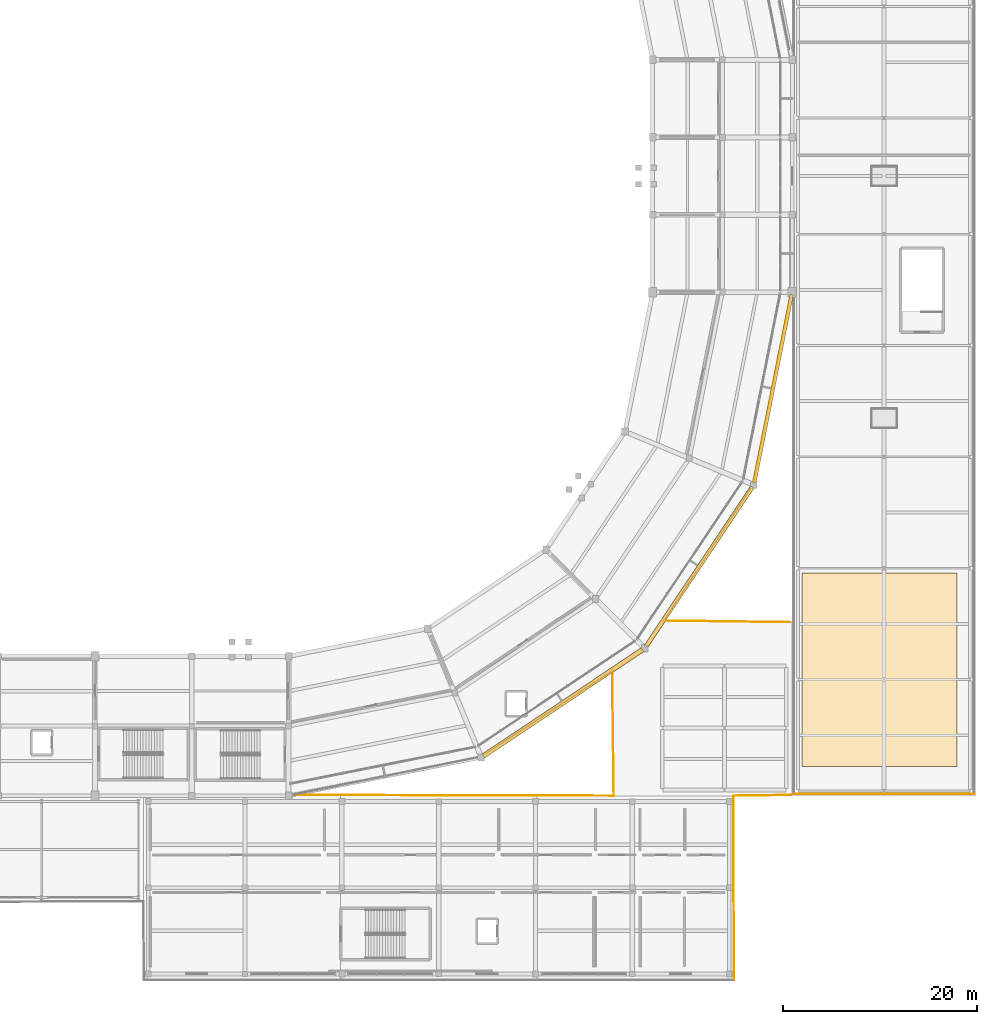
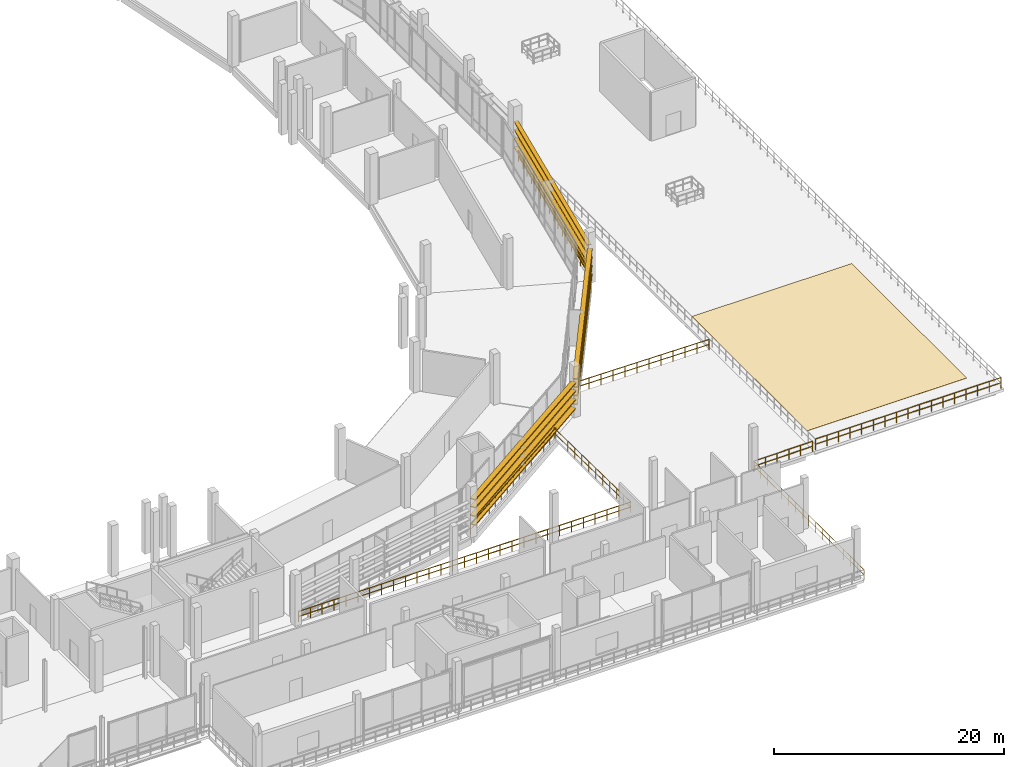
# One storey, part 101 of 111: 12 shading devices, 9 railings, 1 covering.
"""IFC4 building model written with IfcOpenShell, lengths in metres."""

from ifc_helpers import new_model, si_unit, direction, frame, origin, origin_2d, place, context, subcontext, project, spatial, polyline, rectangle, circle, outline, extrude, material, layer, layer_set, type_object, element, save


model = new_model("IFC4")

# Units and contexts
model_context = context("Model", 3, precision=1e-05, world=origin(), true_north=direction((0.0, 1.0)))
body_context = subcontext(model_context, "Body", "Model", "MODEL_VIEW")
ifc_project = project(units=[si_unit("LENGTHUNIT", "METRE"), si_unit("AREAUNIT", "SQUARE_METRE"), si_unit("VOLUMEUNIT", "CUBIC_METRE"), si_unit("PLANEANGLEUNIT", "RADIAN"), si_unit("MASSUNIT", "GRAM", prefix="KILO")], contexts=[model_context])

# Site, building, storey
site_placement = place(None, origin())
site = spatial("IfcSite", under=ifc_project, at=site_placement, CompositionType="ELEMENT")
building_placement = place(site_placement, origin())
building = spatial("IfcBuilding", under=site, at=building_placement, Name="Candeia Ridge Stadium", CompositionType="ELEMENT")
storey_placement = place(building_placement, frame((0.0, 0.0, 16.199951171875)))
storey = spatial("IfcBuildingStorey", under=building, at=storey_placement, Name="L03", CompositionType="ELEMENT", Elevation=16.199951171875)

# Railing
ifc_material_1 = material(Name="Laminated Glass & Stainless Steel", Category="steel")
ifc_layer_1 = layer(ifc_material_1, 0.080078125, Name="Laminated Glass & Stainless Steel", Category="steel")
ifc_layer_set_1 = layer_set([ifc_layer_1], Name="Laminated Glass & Stainless Steel")
railing_type_1 = type_object("IfcRailingType", Name="Planted Terrace Glass-Steel Guard 1150", PredefinedType="BALUSTRADE", material=ifc_layer_set_1)
railing_1_placement = place(storey_placement, frame((193.199951171875, 19.199951171875, 0.0)))
element("IfcRailing", 1, at=railing_1_placement, inside=storey, type_object=railing_type_1, Name="Terrace perimeter balustrade GR-TER-181", PredefinedType="BALUSTRADE", context=body_context, shape_type="SweptSolid", body=[
    extrude(circle(Radius=0.02392578125, at=origin_2d()), frame((0.0, 0.0, 1.1259765625), z_axis=(1.0, 0.0, 0.0), x_axis=(0.0, 1.0, 0.0)), (0.0, 0.0, 1.0), 18.60009765625),
    extrude(circle(Radius=0.02392578125, at=origin_2d()), frame((0.0, 0.0, 0.574951171875), z_axis=(1.0, 0.0, 0.0), x_axis=(0.0, 1.0, 0.0)), (0.0, 0.0, 1.0), 18.60009765625),
    extrude(circle(Radius=0.02099609375, at=origin_2d()), origin(), (0.0, 0.0, 1.0), 1.101806640625),
    extrude(circle(Radius=0.02099609375, at=origin_2d()), frame((1.16259765625, 0.0, 0.0)), (0.0, 0.0, 1.0), 1.101806640625),
    extrude(circle(Radius=0.02099609375, at=origin_2d()), frame((2.324951171875, 0.0, 0.0)), (0.0, 0.0, 1.0), 1.101806640625),
    extrude(circle(Radius=0.02099609375, at=origin_2d()), frame((3.487548828125, 0.0, 0.0)), (0.0, 0.0, 1.0), 1.101806640625),
    extrude(circle(Radius=0.02099609375, at=origin_2d()), frame((4.64990234375, 0.0, 0.0)), (0.0, 0.0, 1.0), 1.101806640625),
    extrude(circle(Radius=0.02099609375, at=origin_2d()), frame((5.8125, 0.0, 0.0)), (0.0, 0.0, 1.0), 1.101806640625),
    extrude(circle(Radius=0.02099609375, at=origin_2d()), frame((6.97509765625, 0.0, 0.0)), (0.0, 0.0, 1.0), 1.101806640625),
    extrude(circle(Radius=0.02099609375, at=origin_2d()), frame((8.137451171875, 0.0, 0.0)), (0.0, 0.0, 1.0), 1.101806640625),
    extrude(circle(Radius=0.02099609375, at=origin_2d()), frame((9.300048828125, 0.0, 0.0)), (0.0, 0.0, 1.0), 1.101806640625),
    extrude(circle(Radius=0.02099609375, at=origin_2d()), frame((10.462646484375, 0.0, 0.0)), (0.0, 0.0, 1.0), 1.101806640625),
    extrude(circle(Radius=0.02099609375, at=origin_2d()), frame((11.625, 0.0, 0.0)), (0.0, 0.0, 1.0), 1.101806640625),
    extrude(circle(Radius=0.02099609375, at=origin_2d()), frame((12.78759765625, 0.0, 0.0)), (0.0, 0.0, 1.0), 1.101806640625),
    extrude(circle(Radius=0.02099609375, at=origin_2d()), frame((13.9501953125, 0.0, 0.0)), (0.0, 0.0, 1.0), 1.101806640625),
    extrude(circle(Radius=0.02099609375, at=origin_2d()), frame((15.112548828125, 0.0, 0.0)), (0.0, 0.0, 1.0), 1.101806640625),
    extrude(circle(Radius=0.02099609375, at=origin_2d()), frame((16.275146484375, 0.0, 0.0)), (0.0, 0.0, 1.0), 1.101806640625),
    extrude(circle(Radius=0.02099609375, at=origin_2d()), frame((17.4375, 0.0, 0.0)), (0.0, 0.0, 1.0), 1.101806640625),
    extrude(circle(Radius=0.02099609375, at=origin_2d()), frame((18.60009765625, 0.0, 0.0)), (0.0, 0.0, 1.0), 1.101806640625),
])

# Covering
ifc_material_2 = material(Name="EPDM Root-Barrier Waterproof Membrane", Category="concrete")
ifc_layer_2 = layer(ifc_material_2, 0.02001953125, Name="EPDM Root-Barrier Waterproof Membrane", Category="concrete")
ifc_layer_set_2 = layer_set([ifc_layer_2], Name="EPDM Root-Barrier Waterproof Membrane")
covering_type = type_object("IfcCoveringType", Name="Planted Terrace Waterproof Membrane 20", PredefinedType="ROOFING", material=ifc_layer_set_2)
covering_placement = place(storey_placement, origin())
element("IfcCovering", 2, at=covering_placement, inside=storey, type_object=covering_type, Name="Terrace waterproof membrane RMEM-01", PredefinedType="ROOFING", context=body_context, shape_type="SweptSolid", body=[
    extrude(outline(polyline([(194.0, 22.0), (210.0, 22.0), (210.0, 42.0), (194.0, 42.0), (194.0, 22.0)])), origin(), (0.0, 0.0, 1.0), 0.02001953125),
])

# Railings
ifc_material_3 = material(Name="Galvanized Powder-Coated Steel", Category="steel")
ifc_layer_3 = layer(ifc_material_3, 0.074951171875, Name="Galvanized Powder-Coated Steel", Category="steel")
ifc_layer_set_3 = layer_set([ifc_layer_3], Name="Galvanized Powder-Coated Steel")
railing_type_2 = type_object("IfcRailingType", Name="Spectator Bowl Front Guardrail 1120", PredefinedType="GUARDRAIL", material=ifc_layer_set_3)
railing_2_placement = place(storey_placement, frame((192.830810546875, 19.080078125, 0.0)))
element("IfcRailing", 3, at=railing_2_placement, inside=storey, type_object=railing_type_2, Name="Deck edge safety guardrail GR-DE-L03-0149", PredefinedType="GUARDRAIL", context=body_context, shape_type="SweptSolid", body=[
    extrude(circle(Radius=0.02392578125, at=origin_2d()), frame((0.0, 0.0, 1.09619140625), z_axis=(-0.999908244425, -0.013546317962, 0.0), x_axis=(0.013546317962, -0.999908244425, 0.0)), (0.0, 0.0, 1.0), 5.911376953125),
    extrude(circle(Radius=0.02392578125, at=origin_2d()), frame((0.0, 0.0, 0.56005859375), z_axis=(-0.999908244425, -0.013546317962, 0.0), x_axis=(0.013546317962, -0.999908244425, 0.0)), (0.0, 0.0, 1.0), 5.911376953125),
    extrude(circle(Radius=0.02099609375, at=origin_2d()), origin(), (0.0, 0.0, 1.0), 1.072021484375),
    extrude(circle(Radius=0.02099609375, at=origin_2d()), frame((-1.18212890625, -0.01611328125, 0.0)), (0.0, 0.0, 1.0), 1.072021484375),
    extrude(circle(Radius=0.02099609375, at=origin_2d()), frame((-2.3642578125, -0.031982421875, 0.0)), (0.0, 0.0, 1.0), 1.072021484375),
    extrude(circle(Radius=0.02099609375, at=origin_2d()), frame((-3.546630859375, -0.048095703125, 0.0)), (0.0, 0.0, 1.0), 1.072021484375),
    extrude(circle(Radius=0.02099609375, at=origin_2d()), frame((-4.728759765625, -0.06396484375, 0.0)), (0.0, 0.0, 1.0), 1.072021484375),
    extrude(circle(Radius=0.02099609375, at=origin_2d()), frame((-5.910888671875, -0.080078125, 0.0)), (0.0, 0.0, 1.0), 1.072021484375),
])
railing_3_placement = place(storey_placement, frame((186.919921875, 19.0, 0.0)))
element("IfcRailing", 4, at=railing_3_placement, inside=storey, type_object=railing_type_2, Name="Deck edge safety guardrail GR-DE-L03-0150", PredefinedType="GUARDRAIL", context=body_context, shape_type="SweptSolid", body=[
    extrude(circle(Radius=0.02392578125, at=origin_2d()), frame((0.0, 0.0, 1.09619140625), z_axis=(0.004214600726, -0.999991118531, 0.0), x_axis=(0.999991118531, 0.004214600726, 0.0)), (0.0, 0.0, 1.0), 19.000244140625),
    extrude(circle(Radius=0.02392578125, at=origin_2d()), frame((0.0, 0.0, 0.56005859375), z_axis=(0.004214600726, -0.999991118531, 0.0), x_axis=(0.999991118531, 0.004214600726, 0.0)), (0.0, 0.0, 1.0), 19.000244140625),
    extrude(circle(Radius=0.02099609375, at=origin_2d()), origin(), (0.0, 0.0, 1.0), 1.072021484375),
    extrude(circle(Radius=0.02099609375, at=origin_2d()), frame((0.0048828125, -1.1875, 0.0)), (0.0, 0.0, 1.0), 1.072021484375),
    extrude(circle(Radius=0.02099609375, at=origin_2d()), frame((0.010009765625, -2.375, 0.0)), (0.0, 0.0, 1.0), 1.072021484375),
    extrude(circle(Radius=0.02099609375, at=origin_2d()), frame((0.01513671875, -3.5625, 0.0)), (0.0, 0.0, 1.0), 1.072021484375),
    extrude(circle(Radius=0.02099609375, at=origin_2d()), frame((0.02001953125, -4.75, 0.0)), (0.0, 0.0, 1.0), 1.072021484375),
    extrude(circle(Radius=0.02099609375, at=origin_2d()), frame((0.02490234375, -5.9375, 0.0)), (0.0, 0.0, 1.0), 1.072021484375),
    extrude(circle(Radius=0.02099609375, at=origin_2d()), frame((0.030029296875, -7.125, 0.0)), (0.0, 0.0, 1.0), 1.072021484375),
    extrude(circle(Radius=0.02099609375, at=origin_2d()), frame((0.03515625, -8.3125, 0.0)), (0.0, 0.0, 1.0), 1.072021484375),
    extrude(circle(Radius=0.02099609375, at=origin_2d()), frame((0.0400390625, -9.5, 0.0)), (0.0, 0.0, 1.0), 1.072021484375),
    extrude(circle(Radius=0.02099609375, at=origin_2d()), frame((0.044921875, -10.6875, 0.0)), (0.0, 0.0, 1.0), 1.072021484375),
    extrude(circle(Radius=0.02099609375, at=origin_2d()), frame((0.050048828125, -11.875, 0.0)), (0.0, 0.0, 1.0), 1.072021484375),
    extrude(circle(Radius=0.02099609375, at=origin_2d()), frame((0.05517578125, -13.0625, 0.0)), (0.0, 0.0, 1.0), 1.072021484375),
    extrude(circle(Radius=0.02099609375, at=origin_2d()), frame((0.06005859375, -14.25, 0.0)), (0.0, 0.0, 1.0), 1.072021484375),
    extrude(circle(Radius=0.02099609375, at=origin_2d()), frame((0.06494140625, -15.4375, 0.0)), (0.0, 0.0, 1.0), 1.072021484375),
    extrude(circle(Radius=0.02099609375, at=origin_2d()), frame((0.070068359375, -16.625, 0.0)), (0.0, 0.0, 1.0), 1.072021484375),
    extrude(circle(Radius=0.02099609375, at=origin_2d()), frame((0.0751953125, -17.8125, 0.0)), (0.0, 0.0, 1.0), 1.072021484375),
    extrude(circle(Radius=0.02099609375, at=origin_2d()), frame((0.080078125, -19.0, 0.0)), (0.0, 0.0, 1.0), 1.072021484375),
])
railing_4_placement = place(storey_placement, frame((179.6201171875, 37.080078125, 0.0)))
element("IfcRailing", 5, at=railing_4_placement, inside=storey, type_object=railing_type_2, Name="Deck edge safety guardrail GR-DE-L03-0160", PredefinedType="GUARDRAIL", context=body_context, shape_type="SweptSolid", body=[
    extrude(circle(Radius=0.02392578125, at=origin_2d()), frame((0.0, 0.0, 1.09619140625), z_axis=(0.999925953664, -0.012169107946, 0.0), x_axis=(0.012169107946, 0.999925953664, 0.0)), (0.0, 0.0, 1.0), 13.160888671875),
    extrude(circle(Radius=0.02392578125, at=origin_2d()), frame((0.0, 0.0, 0.56005859375), z_axis=(0.999925953664, -0.012169107946, 0.0), x_axis=(0.012169107946, 0.999925953664, 0.0)), (0.0, 0.0, 1.0), 13.160888671875),
    extrude(circle(Radius=0.02099609375, at=origin_2d()), origin(), (0.0, 0.0, 1.0), 1.072021484375),
    extrude(circle(Radius=0.02099609375, at=origin_2d()), frame((1.1962890625, -0.0146484375, 0.0)), (0.0, 0.0, 1.0), 1.072021484375),
    extrude(circle(Radius=0.02099609375, at=origin_2d()), frame((2.392822265625, -0.029052734375, 0.0)), (0.0, 0.0, 1.0), 1.072021484375),
    extrude(circle(Radius=0.02099609375, at=origin_2d()), frame((3.589111328125, -0.043701171875, 0.0)), (0.0, 0.0, 1.0), 1.072021484375),
    extrude(circle(Radius=0.02099609375, at=origin_2d()), frame((4.785400390625, -0.058349609375, 0.0)), (0.0, 0.0, 1.0), 1.072021484375),
    extrude(circle(Radius=0.02099609375, at=origin_2d()), frame((5.981689453125, -0.07275390625, 0.0)), (0.0, 0.0, 1.0), 1.072021484375),
    extrude(circle(Radius=0.02099609375, at=origin_2d()), frame((7.17822265625, -0.08740234375, 0.0)), (0.0, 0.0, 1.0), 1.072021484375),
    extrude(circle(Radius=0.02099609375, at=origin_2d()), frame((8.37451171875, -0.101806640625, 0.0)), (0.0, 0.0, 1.0), 1.072021484375),
    extrude(circle(Radius=0.02099609375, at=origin_2d()), frame((9.57080078125, -0.116455078125, 0.0)), (0.0, 0.0, 1.0), 1.072021484375),
    extrude(circle(Radius=0.02099609375, at=origin_2d()), frame((10.76708984375, -0.131103515625, 0.0)), (0.0, 0.0, 1.0), 1.072021484375),
    extrude(circle(Radius=0.02099609375, at=origin_2d()), frame((11.963623046875, -0.1455078125, 0.0)), (0.0, 0.0, 1.0), 1.072021484375),
    extrude(circle(Radius=0.02099609375, at=origin_2d()), frame((13.159912109375, -0.16015625, 0.0)), (0.0, 0.0, 1.0), 1.072021484375),
])
railing_5_placement = place(storey_placement, frame((192.701416015625, 69.90966796875, 0.0)))
element("IfcRailing", 6, at=railing_5_placement, inside=storey, type_object=railing_type_2, Name="Deck edge safety guardrail GR-DE-L03-0161", PredefinedType="GUARDRAIL", context=body_context, shape_type="SweptSolid", body=[
    extrude(circle(Radius=0.02392578125, at=origin_2d()), frame((0.0, 0.0, 1.09619140625), z_axis=(-0.194778451557, -0.980847263752, 0.0), x_axis=(0.980847263752, -0.194778451557, 0.0)), (0.0, 0.0, 1.0), 19.131103515625),
    extrude(circle(Radius=0.02392578125, at=origin_2d()), frame((0.0, 0.0, 0.56005859375), z_axis=(-0.194778451557, -0.980847263752, 0.0), x_axis=(0.980847263752, -0.194778451557, 0.0)), (0.0, 0.0, 1.0), 19.131103515625),
    extrude(circle(Radius=0.02099609375, at=origin_2d()), origin(), (0.0, 0.0, 1.0), 1.072021484375),
    extrude(circle(Radius=0.02099609375, at=origin_2d()), frame((-0.23291015625, -1.1728515625, 0.0)), (0.0, 0.0, 1.0), 1.072021484375),
    extrude(circle(Radius=0.02099609375, at=origin_2d()), frame((-0.4658203125, -2.345703125, 0.0)), (0.0, 0.0, 1.0), 1.072021484375),
    extrude(circle(Radius=0.02099609375, at=origin_2d()), frame((-0.69873046875, -3.518310546875, 0.0)), (0.0, 0.0, 1.0), 1.072021484375),
    extrude(circle(Radius=0.02099609375, at=origin_2d()), frame((-0.931640625, -4.691162109375, 0.0)), (0.0, 0.0, 1.0), 1.072021484375),
    extrude(circle(Radius=0.02099609375, at=origin_2d()), frame((-1.16455078125, -5.864013671875, 0.0)), (0.0, 0.0, 1.0), 1.072021484375),
    extrude(circle(Radius=0.02099609375, at=origin_2d()), frame((-1.3974609375, -7.03662109375, 0.0)), (0.0, 0.0, 1.0), 1.072021484375),
    extrude(circle(Radius=0.02099609375, at=origin_2d()), frame((-1.63037109375, -8.20947265625, 0.0)), (0.0, 0.0, 1.0), 1.072021484375),
    extrude(circle(Radius=0.02099609375, at=origin_2d()), frame((-1.86328125, -9.38232421875, 0.0)), (0.0, 0.0, 1.0), 1.072021484375),
    extrude(circle(Radius=0.02099609375, at=origin_2d()), frame((-2.095947265625, -10.55517578125, 0.0)), (0.0, 0.0, 1.0), 1.072021484375),
    extrude(circle(Radius=0.02099609375, at=origin_2d()), frame((-2.328857421875, -11.72802734375, 0.0)), (0.0, 0.0, 1.0), 1.072021484375),
    extrude(circle(Radius=0.02099609375, at=origin_2d()), frame((-2.561767578125, -12.900634765625, 0.0)), (0.0, 0.0, 1.0), 1.072021484375),
    extrude(circle(Radius=0.02099609375, at=origin_2d()), frame((-2.794677734375, -14.073486328125, 0.0)), (0.0, 0.0, 1.0), 1.072021484375),
    extrude(circle(Radius=0.02099609375, at=origin_2d()), frame((-3.027587890625, -15.246337890625, 0.0)), (0.0, 0.0, 1.0), 1.072021484375),
    extrude(circle(Radius=0.02099609375, at=origin_2d()), frame((-3.260498046875, -16.4189453125, 0.0)), (0.0, 0.0, 1.0), 1.072021484375),
    extrude(circle(Radius=0.02099609375, at=origin_2d()), frame((-3.493408203125, -17.591796875, 0.0)), (0.0, 0.0, 1.0), 1.072021484375),
    extrude(circle(Radius=0.02099609375, at=origin_2d()), frame((-3.726318359375, -18.7646484375, 0.0)), (0.0, 0.0, 1.0), 1.072021484375),
])
railing_6_placement = place(storey_placement, frame((188.97509765625, 51.14501953125, 0.0)))
element("IfcRailing", 7, at=railing_6_placement, inside=storey, type_object=railing_type_2, Name="Deck edge safety guardrail GR-DE-L03-0162", PredefinedType="GUARDRAIL", context=body_context, shape_type="SweptSolid", body=[
    extrude(circle(Radius=0.02392578125, at=origin_2d()), frame((0.0, 0.0, 1.09619140625), z_axis=(-0.547697653631, -0.836676329417, 0.0), x_axis=(0.836676329417, -0.547697653631, 0.0)), (0.0, 0.0, 1.0), 16.959228515625),
    extrude(circle(Radius=0.02392578125, at=origin_2d()), frame((0.0, 0.0, 0.56005859375), z_axis=(-0.547697653631, -0.836676329417, 0.0), x_axis=(0.836676329417, -0.547697653631, 0.0)), (0.0, 0.0, 1.0), 16.959228515625),
    extrude(circle(Radius=0.02099609375, at=origin_2d()), origin(), (0.0, 0.0, 1.0), 1.072021484375),
    extrude(circle(Radius=0.02099609375, at=origin_2d()), frame((-0.619140625, -0.946044921875, 0.0)), (0.0, 0.0, 1.0), 1.072021484375),
    extrude(circle(Radius=0.02099609375, at=origin_2d()), frame((-1.238525390625, -1.891845703125, 0.0)), (0.0, 0.0, 1.0), 1.072021484375),
    extrude(circle(Radius=0.02099609375, at=origin_2d()), frame((-1.857666015625, -2.837890625, 0.0)), (0.0, 0.0, 1.0), 1.072021484375),
    extrude(circle(Radius=0.02099609375, at=origin_2d()), frame((-2.47705078125, -3.783935546875, 0.0)), (0.0, 0.0, 1.0), 1.072021484375),
    extrude(circle(Radius=0.02099609375, at=origin_2d()), frame((-3.09619140625, -4.729736328125, 0.0)), (0.0, 0.0, 1.0), 1.072021484375),
    extrude(circle(Radius=0.02099609375, at=origin_2d()), frame((-3.71533203125, -5.67578125, 0.0)), (0.0, 0.0, 1.0), 1.072021484375),
    extrude(circle(Radius=0.02099609375, at=origin_2d()), frame((-4.334716796875, -6.621826171875, 0.0)), (0.0, 0.0, 1.0), 1.072021484375),
    extrude(circle(Radius=0.02099609375, at=origin_2d()), frame((-4.953857421875, -7.567626953125, 0.0)), (0.0, 0.0, 1.0), 1.072021484375),
    extrude(circle(Radius=0.02099609375, at=origin_2d()), frame((-5.5732421875, -8.513671875, 0.0)), (0.0, 0.0, 1.0), 1.072021484375),
    extrude(circle(Radius=0.02099609375, at=origin_2d()), frame((-6.1923828125, -9.459716796875, 0.0)), (0.0, 0.0, 1.0), 1.072021484375),
    extrude(circle(Radius=0.02099609375, at=origin_2d()), frame((-6.8115234375, -10.405517578125, 0.0)), (0.0, 0.0, 1.0), 1.072021484375),
    extrude(circle(Radius=0.02099609375, at=origin_2d()), frame((-7.430908203125, -11.3515625, 0.0)), (0.0, 0.0, 1.0), 1.072021484375),
    extrude(circle(Radius=0.02099609375, at=origin_2d()), frame((-8.050048828125, -12.297607421875, 0.0)), (0.0, 0.0, 1.0), 1.072021484375),
    extrude(circle(Radius=0.02099609375, at=origin_2d()), frame((-8.66943359375, -13.243408203125, 0.0)), (0.0, 0.0, 1.0), 1.072021484375),
    extrude(circle(Radius=0.02099609375, at=origin_2d()), frame((-9.28857421875, -14.189453125, 0.0)), (0.0, 0.0, 1.0), 1.072021484375),
])
railing_7_placement = place(storey_placement, frame((174.54443359375, 31.979248046875, 0.0)))
element("IfcRailing", 8, at=railing_7_placement, inside=storey, type_object=railing_type_2, Name="Deck edge safety guardrail GR-DE-L03-0163", PredefinedType="GUARDRAIL", context=body_context, shape_type="SweptSolid", body=[
    extrude(circle(Radius=0.02392578125, at=origin_2d()), frame((0.0, 0.0, 1.09619140625), z_axis=(-0.836677098571, -0.547696478651, 0.0), x_axis=(0.547696478651, -0.836677098571, 0.0)), (0.0, 0.0, 1.0), 16.3271484375),
    extrude(circle(Radius=0.02392578125, at=origin_2d()), frame((0.0, 0.0, 0.56005859375), z_axis=(-0.836677098571, -0.547696478651, 0.0), x_axis=(0.547696478651, -0.836677098571, 0.0)), (0.0, 0.0, 1.0), 16.3271484375),
    extrude(circle(Radius=0.02099609375, at=origin_2d()), origin(), (0.0, 0.0, 1.0), 1.072021484375),
    extrude(circle(Radius=0.02099609375, at=origin_2d()), frame((-0.975830078125, -0.638671875, 0.0)), (0.0, 0.0, 1.0), 1.072021484375),
    extrude(circle(Radius=0.02099609375, at=origin_2d()), frame((-1.951416015625, -1.277587890625, 0.0)), (0.0, 0.0, 1.0), 1.072021484375),
    extrude(circle(Radius=0.02099609375, at=origin_2d()), frame((-2.92724609375, -1.916259765625, 0.0)), (0.0, 0.0, 1.0), 1.072021484375),
    extrude(circle(Radius=0.02099609375, at=origin_2d()), frame((-3.903076171875, -2.554931640625, 0.0)), (0.0, 0.0, 1.0), 1.072021484375),
    extrude(circle(Radius=0.02099609375, at=origin_2d()), frame((-4.87890625, -3.193603515625, 0.0)), (0.0, 0.0, 1.0), 1.072021484375),
    extrude(circle(Radius=0.02099609375, at=origin_2d()), frame((-5.8544921875, -3.83251953125, 0.0)), (0.0, 0.0, 1.0), 1.072021484375),
    extrude(circle(Radius=0.02099609375, at=origin_2d()), frame((-6.830322265625, -4.47119140625, 0.0)), (0.0, 0.0, 1.0), 1.072021484375),
    extrude(circle(Radius=0.02099609375, at=origin_2d()), frame((-7.80615234375, -5.10986328125, 0.0)), (0.0, 0.0, 1.0), 1.072021484375),
    extrude(circle(Radius=0.02099609375, at=origin_2d()), frame((-8.78173828125, -5.748779296875, 0.0)), (0.0, 0.0, 1.0), 1.072021484375),
    extrude(circle(Radius=0.02099609375, at=origin_2d()), frame((-9.757568359375, -6.387451171875, 0.0)), (0.0, 0.0, 1.0), 1.072021484375),
    extrude(circle(Radius=0.02099609375, at=origin_2d()), frame((-10.7333984375, -7.026123046875, 0.0)), (0.0, 0.0, 1.0), 1.072021484375),
    extrude(circle(Radius=0.02099609375, at=origin_2d()), frame((-11.709228515625, -7.664794921875, 0.0)), (0.0, 0.0, 1.0), 1.072021484375),
    extrude(circle(Radius=0.02099609375, at=origin_2d()), frame((-12.684814453125, -8.3037109375, 0.0)), (0.0, 0.0, 1.0), 1.072021484375),
    extrude(circle(Radius=0.02099609375, at=origin_2d()), frame((-13.66064453125, -8.9423828125, 0.0)), (0.0, 0.0, 1.0), 1.072021484375),
])
railing_8_placement = place(storey_placement, frame((141.313720703125, 19.080078125, 0.0)))
element("IfcRailing", 9, at=railing_8_placement, inside=storey, type_object=railing_type_2, Name="Deck edge safety guardrail GR-DE-L03-0165", PredefinedType="GUARDRAIL", context=body_context, shape_type="SweptSolid", body=[
    extrude(circle(Radius=0.02392578125, at=origin_2d()), frame((0.0, 0.0, 1.09619140625), z_axis=(0.999997102754, -0.002407173469, 0.0), x_axis=(0.002407173469, 0.999997102754, 0.0)), (0.0, 0.0, 1.0), 33.266357421875),
    extrude(circle(Radius=0.02392578125, at=origin_2d()), frame((0.0, 0.0, 0.56005859375), z_axis=(0.999997102754, -0.002407173469, 0.0), x_axis=(0.002407173469, 0.999997102754, 0.0)), (0.0, 0.0, 1.0), 33.266357421875),
    extrude(circle(Radius=0.02099609375, at=origin_2d()), origin(), (0.0, 0.0, 1.0), 1.072021484375),
    extrude(circle(Radius=0.02099609375, at=origin_2d()), frame((1.18798828125, -0.0029296875, 0.0)), (0.0, 0.0, 1.0), 1.072021484375),
    extrude(circle(Radius=0.02099609375, at=origin_2d()), frame((2.376220703125, -0.005615234375, 0.0)), (0.0, 0.0, 1.0), 1.072021484375),
    extrude(circle(Radius=0.02099609375, at=origin_2d()), frame((3.564208984375, -0.008544921875, 0.0)), (0.0, 0.0, 1.0), 1.072021484375),
    extrude(circle(Radius=0.02099609375, at=origin_2d()), frame((4.75244140625, -0.011474609375, 0.0)), (0.0, 0.0, 1.0), 1.072021484375),
    extrude(circle(Radius=0.02099609375, at=origin_2d()), frame((5.9404296875, -0.014404296875, 0.0)), (0.0, 0.0, 1.0), 1.072021484375),
    extrude(circle(Radius=0.02099609375, at=origin_2d()), frame((7.12841796875, -0.01708984375, 0.0)), (0.0, 0.0, 1.0), 1.072021484375),
    extrude(circle(Radius=0.02099609375, at=origin_2d()), frame((8.316650390625, -0.02001953125, 0.0)), (0.0, 0.0, 1.0), 1.072021484375),
    extrude(circle(Radius=0.02099609375, at=origin_2d()), frame((9.504638671875, -0.02294921875, 0.0)), (0.0, 0.0, 1.0), 1.072021484375),
    extrude(circle(Radius=0.02099609375, at=origin_2d()), frame((10.69287109375, -0.025634765625, 0.0)), (0.0, 0.0, 1.0), 1.072021484375),
    extrude(circle(Radius=0.02099609375, at=origin_2d()), frame((11.880859375, -0.028564453125, 0.0)), (0.0, 0.0, 1.0), 1.072021484375),
    extrude(circle(Radius=0.02099609375, at=origin_2d()), frame((13.06884765625, -0.031494140625, 0.0)), (0.0, 0.0, 1.0), 1.072021484375),
    extrude(circle(Radius=0.02099609375, at=origin_2d()), frame((14.257080078125, -0.034423828125, 0.0)), (0.0, 0.0, 1.0), 1.072021484375),
    extrude(circle(Radius=0.02099609375, at=origin_2d()), frame((15.445068359375, -0.037109375, 0.0)), (0.0, 0.0, 1.0), 1.072021484375),
    extrude(circle(Radius=0.02099609375, at=origin_2d()), frame((16.63330078125, -0.0400390625, 0.0)), (0.0, 0.0, 1.0), 1.072021484375),
    extrude(circle(Radius=0.02099609375, at=origin_2d()), frame((17.8212890625, -0.04296875, 0.0)), (0.0, 0.0, 1.0), 1.072021484375),
    extrude(circle(Radius=0.02099609375, at=origin_2d()), frame((19.00927734375, -0.045654296875, 0.0)), (0.0, 0.0, 1.0), 1.072021484375),
    extrude(circle(Radius=0.02099609375, at=origin_2d()), frame((20.197509765625, -0.048583984375, 0.0)), (0.0, 0.0, 1.0), 1.072021484375),
    extrude(circle(Radius=0.02099609375, at=origin_2d()), frame((21.385498046875, -0.051513671875, 0.0)), (0.0, 0.0, 1.0), 1.072021484375),
    extrude(circle(Radius=0.02099609375, at=origin_2d()), frame((22.573486328125, -0.054443359375, 0.0)), (0.0, 0.0, 1.0), 1.072021484375),
    extrude(circle(Radius=0.02099609375, at=origin_2d()), frame((23.76171875, -0.05712890625, 0.0)), (0.0, 0.0, 1.0), 1.072021484375),
    extrude(circle(Radius=0.02099609375, at=origin_2d()), frame((24.94970703125, -0.06005859375, 0.0)), (0.0, 0.0, 1.0), 1.072021484375),
    extrude(circle(Radius=0.02099609375, at=origin_2d()), frame((26.137939453125, -0.06298828125, 0.0)), (0.0, 0.0, 1.0), 1.072021484375),
    extrude(circle(Radius=0.02099609375, at=origin_2d()), frame((27.325927734375, -0.065673828125, 0.0)), (0.0, 0.0, 1.0), 1.072021484375),
    extrude(circle(Radius=0.02099609375, at=origin_2d()), frame((28.513916015625, -0.068603515625, 0.0)), (0.0, 0.0, 1.0), 1.072021484375),
    extrude(circle(Radius=0.02099609375, at=origin_2d()), frame((29.7021484375, -0.071533203125, 0.0)), (0.0, 0.0, 1.0), 1.072021484375),
    extrude(circle(Radius=0.02099609375, at=origin_2d()), frame((30.89013671875, -0.074462890625, 0.0)), (0.0, 0.0, 1.0), 1.072021484375),
    extrude(circle(Radius=0.02099609375, at=origin_2d()), frame((32.078369140625, -0.0771484375, 0.0)), (0.0, 0.0, 1.0), 1.072021484375),
    extrude(circle(Radius=0.02099609375, at=origin_2d()), frame((33.266357421875, -0.080078125, 0.0)), (0.0, 0.0, 1.0), 1.072021484375),
])
railing_9_placement = place(storey_placement, frame((174.580078125, 19.0, 0.0)))
element("IfcRailing", 10, at=railing_9_placement, inside=storey, type_object=railing_type_2, Name="Deck edge safety guardrail GR-DE-L03-0166", PredefinedType="GUARDRAIL", context=body_context, shape_type="SweptSolid", body=[
    extrude(circle(Radius=0.02392578125, at=origin_2d()), frame((0.0, 0.0, 1.09619140625), z_axis=(-0.012275443015, 0.999924653911, 0.0), x_axis=(-0.999924653911, -0.012275443015, 0.0)), (0.0, 0.0, 1.0), 13.046875),
    extrude(circle(Radius=0.02392578125, at=origin_2d()), frame((0.0, 0.0, 0.56005859375), z_axis=(-0.012275443015, 0.999924653911, 0.0), x_axis=(-0.999924653911, -0.012275443015, 0.0)), (0.0, 0.0, 1.0), 13.046875),
    extrude(circle(Radius=0.02099609375, at=origin_2d()), origin(), (0.0, 0.0, 1.0), 1.072021484375),
    extrude(circle(Radius=0.02099609375, at=origin_2d()), frame((-0.0146484375, 1.18603515625, 0.0)), (0.0, 0.0, 1.0), 1.072021484375),
    extrude(circle(Radius=0.02099609375, at=origin_2d()), frame((-0.029052734375, 2.3720703125, 0.0)), (0.0, 0.0, 1.0), 1.072021484375),
    extrude(circle(Radius=0.02099609375, at=origin_2d()), frame((-0.043701171875, 3.557861328125, 0.0)), (0.0, 0.0, 1.0), 1.072021484375),
    extrude(circle(Radius=0.02099609375, at=origin_2d()), frame((-0.058349609375, 4.743896484375, 0.0)), (0.0, 0.0, 1.0), 1.072021484375),
    extrude(circle(Radius=0.02099609375, at=origin_2d()), frame((-0.07275390625, 5.929931640625, 0.0)), (0.0, 0.0, 1.0), 1.072021484375),
    extrude(circle(Radius=0.02099609375, at=origin_2d()), frame((-0.08740234375, 7.115966796875, 0.0)), (0.0, 0.0, 1.0), 1.072021484375),
    extrude(circle(Radius=0.02099609375, at=origin_2d()), frame((-0.101806640625, 8.302001953125, 0.0)), (0.0, 0.0, 1.0), 1.072021484375),
    extrude(circle(Radius=0.02099609375, at=origin_2d()), frame((-0.116455078125, 9.488037109375, 0.0)), (0.0, 0.0, 1.0), 1.072021484375),
    extrude(circle(Radius=0.02099609375, at=origin_2d()), frame((-0.131103515625, 10.673828125, 0.0)), (0.0, 0.0, 1.0), 1.072021484375),
    extrude(circle(Radius=0.02099609375, at=origin_2d()), frame((-0.1455078125, 11.85986328125, 0.0)), (0.0, 0.0, 1.0), 1.072021484375),
    extrude(circle(Radius=0.02099609375, at=origin_2d()), frame((-0.16015625, 13.0458984375, 0.0)), (0.0, 0.0, 1.0), 1.072021484375),
])

# Shading devices
ifc_material_4 = material(Name="Aluminium Anodized Warm Bronze", Category="aluminium")
shading_device_type_1 = type_object("IfcShadingDeviceType", Name="Weathered Bronze Horizontal Solar Rib 380x85", PredefinedType="JALOUSIE", material=ifc_material_4)
for number, where, z_axis, x_axis, name in (
    (11, (191.020751953125, 61.05029296875, 0.891357421875), (0.0, 0.0, 1.0), (0.195090311899, 0.980785282416, 0.0), "Weathered bronze horizontal solar rib L03 bay 29-1"),
    (12, (191.020751953125, 61.05029296875, 1.825439453125), (0.0, 0.0, 1.0), (0.195090311899, 0.980785282416, 0.0), "Weathered bronze horizontal solar rib L03 bay 29-2"),
    (13, (191.020751953125, 61.05029296875, 2.75927734375), (0.0, 0.0, 1.0), (0.195090311899, 0.980785282416, 0.0), "Weathered bronze horizontal solar rib L03 bay 29-3"),
    (14, (191.020751953125, 61.05029296875, 3.608154296875), (0.0, 0.0, 1.0), (0.195090311899, 0.980785282416, 0.0), "Weathered bronze horizontal solar rib L03 bay 29-4"),
):
    element("IfcShadingDevice", number, at=place(storey_placement, frame(where, z_axis=z_axis, x_axis=x_axis)), inside=storey, type_object=shading_device_type_1, Name=name, PredefinedType="JALOUSIE", context=body_context, shape_type="SweptSolid", body=[
        extrude(rectangle(XDim=19.789306640625, YDim=0.3798828125, at=origin_2d()), origin(), (0.0, 0.0, 1.0), 0.0849609375),
    ])
shading_device_type_2 = type_object("IfcShadingDeviceType", Name="Weathered Bronze Horizontal Solar Rib 440x95", PredefinedType="JALOUSIE", material=ifc_material_4)
for number, where, z_axis, x_axis, name in (
    (15, (183.40576171875, 42.66552734375, 0.87744140625), (0.0, 0.0, 1.0), (0.555570211063, 0.831469626973, 0.0), "Weathered bronze horizontal solar rib L03 bay 28-1"),
    (16, (183.40576171875, 42.66552734375, 1.802734375), (0.0, 0.0, 1.0), (0.555570211063, 0.831469626973, 0.0), "Weathered bronze horizontal solar rib L03 bay 28-2"),
    (17, (183.40576171875, 42.66552734375, 2.72802734375), (0.0, 0.0, 1.0), (0.555570211063, 0.831469626973, 0.0), "Weathered bronze horizontal solar rib L03 bay 28-3"),
    (18, (183.40576171875, 42.66552734375, 3.56884765625), (0.0, 0.0, 1.0), (0.555570211063, 0.831469626973, 0.0), "Weathered bronze horizontal solar rib L03 bay 28-4"),
):
    element("IfcShadingDevice", number, at=place(storey_placement, frame(where, z_axis=z_axis, x_axis=x_axis)), inside=storey, type_object=shading_device_type_2, Name=name, PredefinedType="JALOUSIE", context=body_context, shape_type="SweptSolid", body=[
        extrude(rectangle(XDim=19.789306640625, YDim=0.43994140625, at=origin_2d()), origin(), (0.0, 0.0, 1.0), 0.094970703125),
    ])
shading_device_type_3 = type_object("IfcShadingDeviceType", Name="Weathered Bronze Horizontal Solar Rib 500x105", PredefinedType="JALOUSIE", material=ifc_material_4)
for number, where, z_axis, x_axis, name in (
    (19, (169.33447265625, 28.59423828125, 0.87255859375), (0.0, 0.0, 1.0), (0.831469626973, 0.555570211063, 0.0), "Weathered bronze horizontal solar rib L03 bay 27-1"),
    (20, (169.33447265625, 28.59423828125, 1.7978515625), (0.0, 0.0, 1.0), (0.831469626973, 0.555570211063, 0.0), "Weathered bronze horizontal solar rib L03 bay 27-2"),
    (21, (169.33447265625, 28.59423828125, 2.722900390625), (0.0, 0.0, 1.0), (0.831469626973, 0.555570211063, 0.0), "Weathered bronze horizontal solar rib L03 bay 27-3"),
    (22, (169.33447265625, 28.59423828125, 3.56396484375), (0.0, 0.0, 1.0), (0.831469626973, 0.555570211063, 0.0), "Weathered bronze horizontal solar rib L03 bay 27-4"),
):
    element("IfcShadingDevice", number, at=place(storey_placement, frame(where, z_axis=z_axis, x_axis=x_axis)), inside=storey, type_object=shading_device_type_3, Name=name, PredefinedType="JALOUSIE", context=body_context, shape_type="SweptSolid", body=[
        extrude(rectangle(XDim=19.789306640625, YDim=0.5, at=origin_2d()), origin(), (0.0, 0.0, 1.0), 0.10498046875),
    ])

save(model, "model.ifc")
